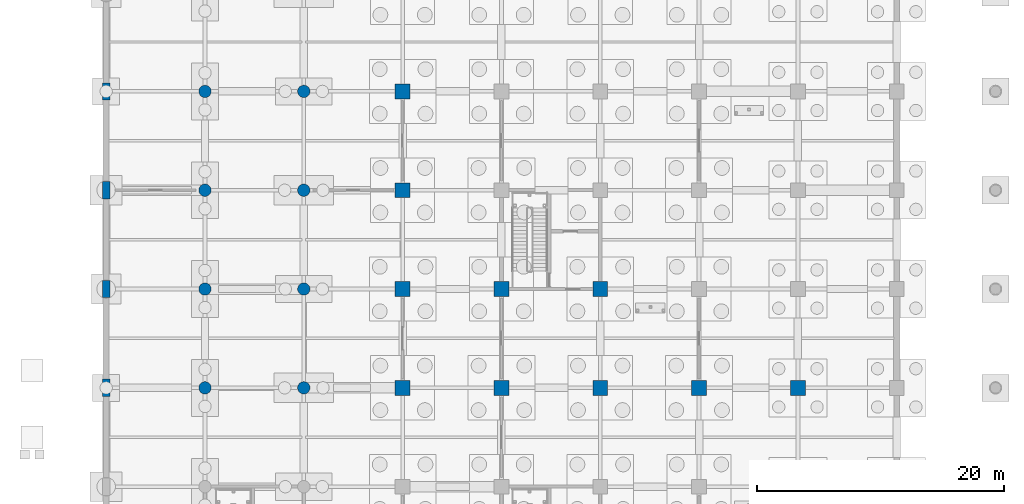
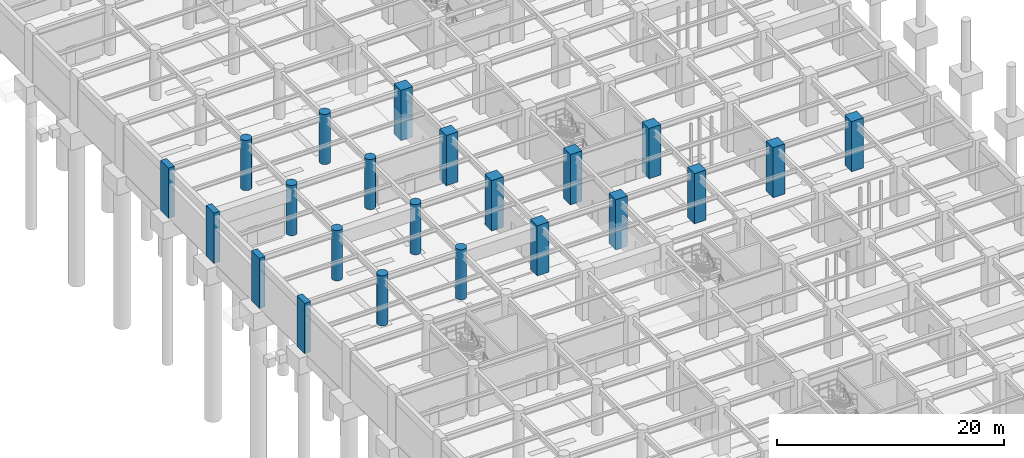
# One storey, part 33 of 97: 22 columns.
"""IFC4 building model written with IfcOpenShell, lengths in metres."""

from ifc_helpers import new_model, si_unit, direction, frame, origin, origin_2d, place, context, subcontext, project, spatial, rectangle, circle, extrude, material, material_profile, profile_set, type_object, element, save


model = new_model("IFC4")

# Units and contexts
model_context = context("Model", 3, precision=1e-05, world=origin(), true_north=direction((0.0, 1.0)))
body_context = subcontext(model_context, "Body", "Model", "MODEL_VIEW")
ifc_project = project(units=[si_unit("LENGTHUNIT", "METRE"), si_unit("AREAUNIT", "SQUARE_METRE"), si_unit("VOLUMEUNIT", "CUBIC_METRE"), si_unit("PLANEANGLEUNIT", "RADIAN"), si_unit("MASSUNIT", "GRAM", prefix="KILO")], contexts=[model_context])

# Site, building, storey
site_placement = place(None, origin())
site = spatial("IfcSite", under=ifc_project, at=site_placement, CompositionType="ELEMENT")
building_placement = place(site_placement, origin())
building = spatial("IfcBuilding", under=site, at=building_placement, Name="Haebicheon Civic Stadium", CompositionType="ELEMENT")
storey_placement = place(building_placement, frame((0.0, 0.0, -5.39990234375)))
storey = spatial("IfcBuildingStorey", under=building, at=storey_placement, Name="B1", CompositionType="ELEMENT", Elevation=-5.39990234375)

# Columns
ifc_material_1 = material(Name="Concrete C40/50", Category="concrete")
ifc_material_profile_1 = material_profile(ifc_material_1, rectangle(XDim=1.199951171875, YDim=1.199951171875, at=origin_2d()), Name="RC-COL-1200x1200")
ifc_profile_set_1 = profile_set([ifc_material_profile_1], Name="Concrete C40/50")
column_type_1 = type_object("IfcColumnType", Name="COL-RC-1200", PredefinedType="COLUMN", material=ifc_profile_set_1)
for number, where, z_axis, x_axis, name in (
    (1, (24.0, 96.0, 0.0), (0.0, 0.0, 1.0), (1.0, 0.0, 0.0), "B1 column 4/N"),
    (2, (24.0, 104.0, 0.0), (0.0, 0.0, 1.0), (1.0, 0.0, 0.0), "B1 column 4/P"),
    (3, (24.0, 112.0, 0.0), (0.0, 0.0, 1.0), (1.0, 0.0, 0.0), "B1 column 4/Q"),
    (4, (24.0, 120.0, 0.0), (0.0, 0.0, 1.0), (1.0, 0.0, 0.0), "B1 column 4/R"),
    (5, (32.0, 96.0, 0.0), (0.0, 0.0, 1.0), (1.0, 0.0, 0.0), "B1 column 5/N"),
    (6, (32.0, 104.0, 0.0), (0.0, 0.0, 1.0), (1.0, 0.0, 0.0), "B1 column 5/P"),
    (7, (40.0, 96.0, 0.0), (0.0, 0.0, 1.0), (1.0, 0.0, 0.0), "B1 column 6/N"),
    (8, (40.0, 104.0, 0.0), (0.0, 0.0, 1.0), (1.0, 0.0, 0.0), "B1 column 6/P"),
    (9, (48.0, 96.0, 0.0), (0.0, 0.0, 1.0), (1.0, 0.0, 0.0), "B1 column 7/N"),
    (10, (56.0, 96.0, 0.0), (0.0, 0.0, 1.0), (1.0, 0.0, 0.0), "B1 column 8/N"),
):
    element("IfcColumn", number, at=place(storey_placement, frame(where, z_axis=z_axis, x_axis=x_axis)), inside=storey, type_object=column_type_1, material=ifc_profile_set_1, Name=name, PredefinedType="COLUMN", context=body_context, shape_type="SweptSolid", body=[
        extrude(rectangle(XDim=1.199951171875, YDim=1.199951171875, at=origin_2d()), origin(), (0.0, 0.0, 1.0), 5.39990234375),
    ])
ifc_material_2 = material(Name="Concrete C40/50", Category="concrete")
ifc_material_profile_2 = material_profile(ifc_material_2, circle(Radius=0.5, at=origin_2d()), Name="RC-COL-D1000")
ifc_profile_set_2 = profile_set([ifc_material_profile_2], Name="Concrete C40/50")
column_type_2 = type_object("IfcColumnType", Name="COL-RC-D1000", PredefinedType="COLUMN", material=ifc_profile_set_2)
for number, where, z_axis, x_axis, name in (
    (11, (8.0, 96.0, 0.0), (0.0, 0.0, 1.0), (1.0, 0.0, 0.0), "B1 column 2/N"),
    (12, (8.0, 104.0, 0.0), (0.0, 0.0, 1.0), (1.0, 0.0, 0.0), "B1 column 2/P"),
    (13, (8.0, 112.0, 0.0), (0.0, 0.0, 1.0), (1.0, 0.0, 0.0), "B1 column 2/Q"),
    (14, (8.0, 120.0, 0.0), (0.0, 0.0, 1.0), (1.0, 0.0, 0.0), "B1 column 2/R"),
    (15, (16.0, 96.0, 0.0), (0.0, 0.0, 1.0), (1.0, 0.0, 0.0), "B1 column 3/N"),
    (16, (16.0, 104.0, 0.0), (0.0, 0.0, 1.0), (1.0, 0.0, 0.0), "B1 column 3/P"),
    (17, (16.0, 112.0, 0.0), (0.0, 0.0, 1.0), (1.0, 0.0, 0.0), "B1 column 3/Q"),
    (18, (16.0, 120.0, 0.0), (0.0, 0.0, 1.0), (1.0, 0.0, 0.0), "B1 column 3/R"),
):
    element("IfcColumn", number, at=place(storey_placement, frame(where, z_axis=z_axis, x_axis=x_axis)), inside=storey, type_object=column_type_2, material=ifc_profile_set_2, Name=name, PredefinedType="COLUMN", context=body_context, shape_type="SweptSolid", body=[
        extrude(circle(Radius=0.5, at=origin_2d()), origin(), (0.0, 0.0, 1.0), 5.39990234375),
    ])
ifc_material_3 = material(Name="Concrete C40/50", Category="concrete")
ifc_material_profile_3 = material_profile(ifc_material_3, rectangle(XDim=0.60009765625, YDim=1.39990234375, at=origin_2d()), Name="RC-PIL-600x1400")
ifc_profile_set_3 = profile_set([ifc_material_profile_3], Name="Concrete C40/50")
column_type_3 = type_object("IfcColumnType", Name="PIL-RC-600x1400", PredefinedType="PILASTER", material=ifc_profile_set_3)
for number, where, z_axis, x_axis, name in (
    (19, (0.0, 96.0, 0.0), (0.0, 0.0, 1.0), (1.0, 0.0, 0.0), "B1 column 1/N"),
    (20, (0.0, 104.0, 0.0), (0.0, 0.0, 1.0), (1.0, 0.0, 0.0), "B1 column 1/P"),
    (21, (0.0, 112.0, 0.0), (0.0, 0.0, 1.0), (1.0, 0.0, 0.0), "B1 column 1/Q"),
    (22, (0.0, 120.0, 0.0), (0.0, 0.0, 1.0), (1.0, 0.0, 0.0), "B1 column 1/R"),
):
    element("IfcColumn", number, at=place(storey_placement, frame(where, z_axis=z_axis, x_axis=x_axis)), inside=storey, type_object=column_type_3, material=ifc_profile_set_3, Name=name, PredefinedType="PILASTER", context=body_context, shape_type="SweptSolid", body=[
        extrude(rectangle(XDim=0.60009765625, YDim=1.39990234375, at=origin_2d()), origin(), (0.0, 0.0, 1.0), 5.39990234375),
    ])

save(model, "model.ifc")
